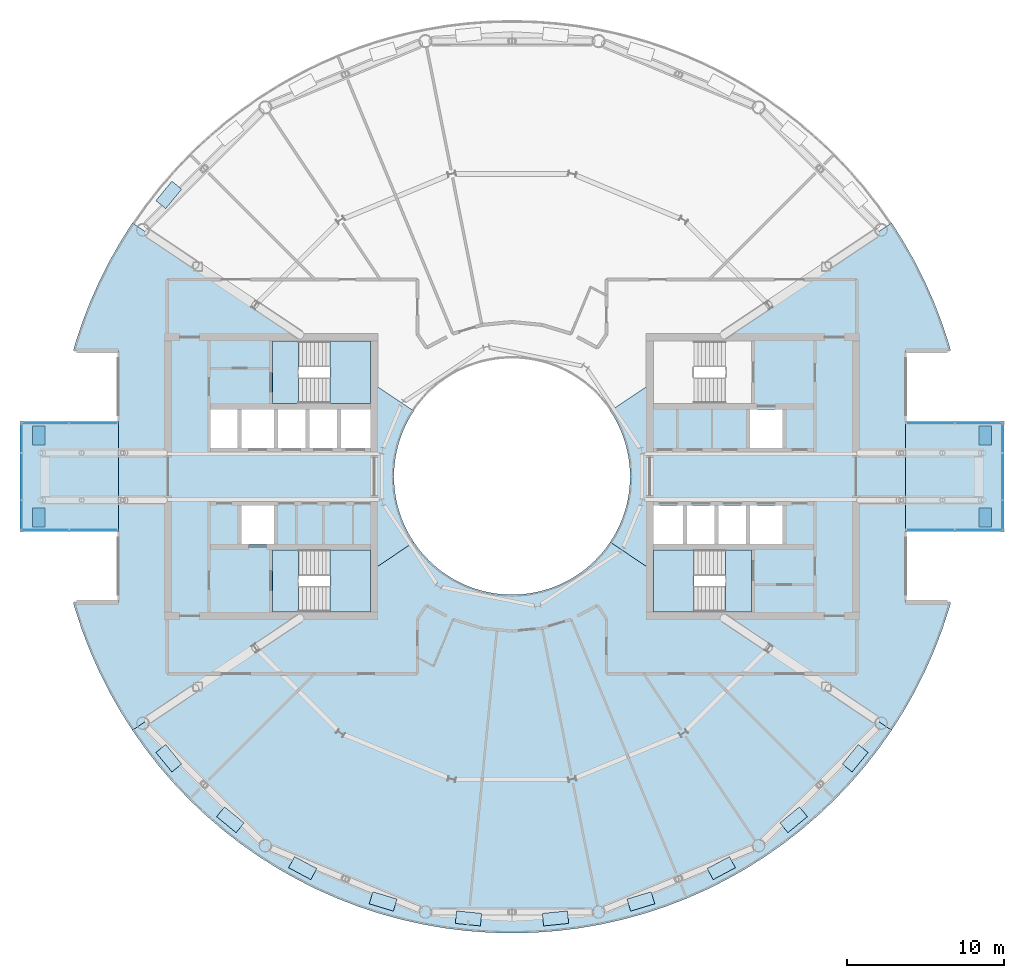
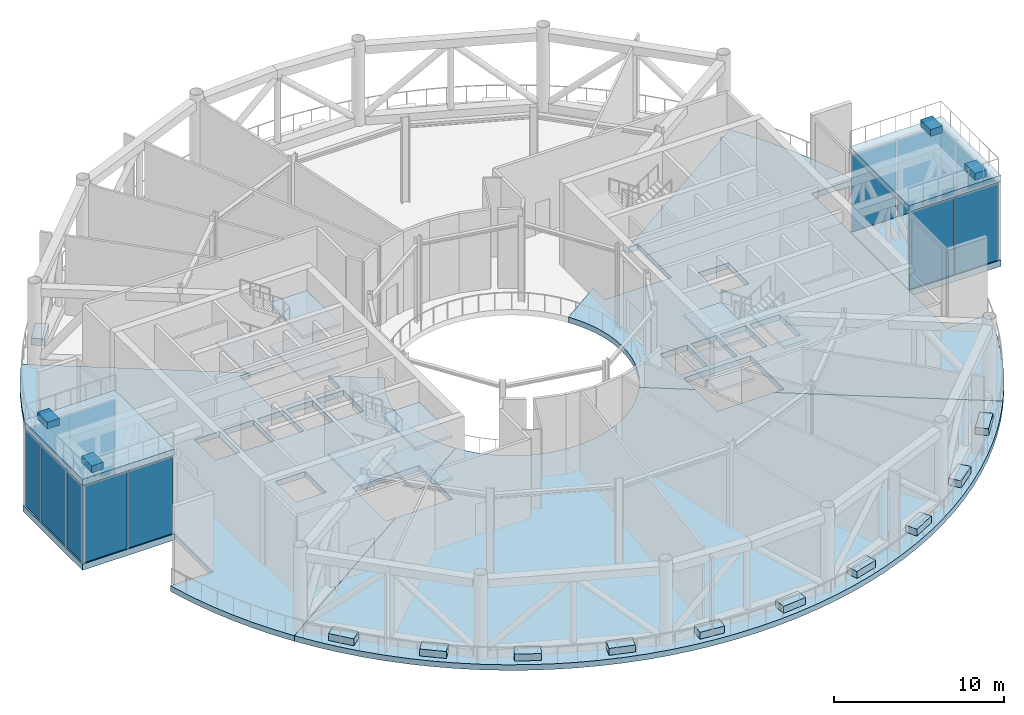
# One storey, part 11 of 24: 31 slabs, 14 plates, 9 elements without a shape of their own.
"""IFC4 building model written with IfcOpenShell, lengths in metres."""

from ifc_helpers import new_model, si_unit, direction, frame, origin, origin_2d, place, context, subcontext, project, spatial, polyline, rectangle, outline, extrude, material, layer, layer_set, type_object, element, aggregate, save


model = new_model("IFC4")

# Units and contexts
model_context = context("Model", 3, precision=1e-05, world=origin(), true_north=direction((0.0, 1.0)))
body_context = subcontext(model_context, "Body", "Model", "MODEL_VIEW")
ifc_project = project(units=[si_unit("LENGTHUNIT", "METRE"), si_unit("AREAUNIT", "SQUARE_METRE"), si_unit("VOLUMEUNIT", "CUBIC_METRE"), si_unit("PLANEANGLEUNIT", "RADIAN"), si_unit("MASSUNIT", "GRAM", prefix="KILO")], contexts=[model_context])

# Site, building, storey
site_placement = place(None, origin())
site = spatial("IfcSite", under=ifc_project, at=site_placement, CompositionType="ELEMENT")
building_placement = place(site_placement, origin())
building = spatial("IfcBuilding", under=site, at=building_placement, Name="Maasbend Ring Residences", CompositionType="ELEMENT")
storey_placement = place(building_placement, frame((0.0, 0.0, 179.89990234375)))
storey = spatial("IfcBuildingStorey", under=building, at=storey_placement, Name="L52", CompositionType="ELEMENT", Elevation=179.89990234375)

# Stair, slabs
ifc_material_1 = material(Name="Concrete C40/50", Category="concrete")
stair_type = type_object("IfcStairType", Name="CORE STAIR 36 RISERS", PredefinedType="HALF_TURN_STAIR", material=ifc_material_1)
stair_1_placement = place(storey_placement, origin())
stair_1 = element("IfcStair", 1, at=stair_1_placement, inside=storey, type_object=stair_type, Name="L52 Exit stair ST-E2", PredefinedType="HALF_TURN_STAIR")
ifc_material_2 = material(Name="Concrete C40/50", Category="concrete")
ifc_layer_1 = layer(ifc_material_2, 0.199951171875)
ifc_layer_set_1 = layer_set([ifc_layer_1], Name="Concrete C40/50")
slab_type_1 = type_object("IfcSlabType", Name="CORE STAIR LANDING 200", PredefinedType="LANDING", material=ifc_layer_set_1)
slab_1_placement = place(storey_placement, frame((0.0, 0.0, 1.3251953125)))
slab_1 = element("IfcSlab", 2, at=slab_1_placement, type_object=slab_type_1, Name="ST-E2 landing 1", PredefinedType="LANDING", context=body_context, shape_type="SweptSolid", body=[
    extrude(outline(polyline([(11.550048828125, -4.64990234375), (9.0, -4.64990234375), (9.0, -8.60009765625), (11.550048828125, -8.60009765625), (11.550048828125, -4.64990234375)])), origin(), (0.0, 0.0, 1.0), 0.199951171875),
])
slab_2_placement = place(storey_placement, frame((0.0, 0.0, 2.85009765625)))
slab_2 = element("IfcSlab", 3, at=slab_2_placement, type_object=slab_type_1, Name="ST-E2 landing 2", PredefinedType="LANDING", context=body_context, shape_type="SweptSolid", body=[
    extrude(outline(polyline([(15.199951171875, -4.64990234375), (13.550048828125, -4.64990234375), (13.550048828125, -8.60009765625), (15.199951171875, -8.60009765625), (15.199951171875, -4.64990234375)])), origin(), (0.0, 0.0, 1.0), 0.199951171875),
])
slab_3_placement = place(storey_placement, frame((0.0, 0.0, 4.375)))
slab_3 = element("IfcSlab", 4, at=slab_3_placement, type_object=slab_type_1, Name="ST-E2 landing 3", PredefinedType="LANDING", context=body_context, shape_type="SweptSolid", body=[
    extrude(outline(polyline([(11.550048828125, -4.64990234375), (9.0, -4.64990234375), (9.0, -8.60009765625), (11.550048828125, -8.60009765625), (11.550048828125, -4.64990234375)])), origin(), (0.0, 0.0, 1.0), 0.2001953125),
])
aggregate(stair_1, [slab_1, slab_2, slab_3])

stair_2_placement = place(storey_placement, origin())
stair_2 = element("IfcStair", 5, at=stair_2_placement, inside=storey, type_object=stair_type, Name="L52 Exit stair ST-W1", PredefinedType="HALF_TURN_STAIR")
slab_4_placement = place(storey_placement, frame((0.0, 0.0, 1.3251953125)))
slab_4 = element("IfcSlab", 6, at=slab_4_placement, type_object=slab_type_1, Name="ST-W1 landing 1", PredefinedType="LANDING", context=body_context, shape_type="SweptSolid", body=[
    extrude(outline(polyline([(-11.550048828125, -8.60009765625), (-9.0, -8.60009765625), (-9.0, -4.64990234375), (-11.550048828125, -4.64990234375), (-11.550048828125, -8.60009765625)])), origin(), (0.0, 0.0, 1.0), 0.199951171875),
])
slab_5_placement = place(storey_placement, frame((0.0, 0.0, 2.85009765625)))
slab_5 = element("IfcSlab", 7, at=slab_5_placement, type_object=slab_type_1, Name="ST-W1 landing 2", PredefinedType="LANDING", context=body_context, shape_type="SweptSolid", body=[
    extrude(outline(polyline([(-15.199951171875, -8.60009765625), (-13.550048828125, -8.60009765625), (-13.550048828125, -4.64990234375), (-15.199951171875, -4.64990234375), (-15.199951171875, -8.60009765625)])), origin(), (0.0, 0.0, 1.0), 0.199951171875),
])
slab_6_placement = place(storey_placement, frame((0.0, 0.0, 4.375)))
slab_6 = element("IfcSlab", 8, at=slab_6_placement, type_object=slab_type_1, Name="ST-W1 landing 3", PredefinedType="LANDING", context=body_context, shape_type="SweptSolid", body=[
    extrude(outline(polyline([(-11.550048828125, -8.60009765625), (-9.0, -8.60009765625), (-9.0, -4.64990234375), (-11.550048828125, -4.64990234375), (-11.550048828125, -8.60009765625)])), origin(), (0.0, 0.0, 1.0), 0.2001953125),
])
aggregate(stair_2, [slab_4, slab_5, slab_6])

stair_3_placement = place(storey_placement, origin())
stair_3 = element("IfcStair", 9, at=stair_3_placement, inside=storey, type_object=stair_type, Name="L52 Exit stair ST-W2", PredefinedType="HALF_TURN_STAIR")
slab_7_placement = place(storey_placement, frame((0.0, 0.0, 1.3251953125)))
slab_7 = element("IfcSlab", 10, at=slab_7_placement, type_object=slab_type_1, Name="ST-W2 landing 1", PredefinedType="LANDING", context=body_context, shape_type="SweptSolid", body=[
    extrude(outline(polyline([(-11.550048828125, 4.64990234375), (-9.0, 4.64990234375), (-9.0, 8.60009765625), (-11.550048828125, 8.60009765625), (-11.550048828125, 4.64990234375)])), origin(), (0.0, 0.0, 1.0), 0.199951171875),
])
slab_8_placement = place(storey_placement, frame((0.0, 0.0, 2.85009765625)))
slab_8 = element("IfcSlab", 11, at=slab_8_placement, type_object=slab_type_1, Name="ST-W2 landing 2", PredefinedType="LANDING", context=body_context, shape_type="SweptSolid", body=[
    extrude(outline(polyline([(-15.199951171875, 4.64990234375), (-13.550048828125, 4.64990234375), (-13.550048828125, 8.60009765625), (-15.199951171875, 8.60009765625), (-15.199951171875, 4.64990234375)])), origin(), (0.0, 0.0, 1.0), 0.199951171875),
])
slab_9_placement = place(storey_placement, frame((0.0, 0.0, 4.375)))
slab_9 = element("IfcSlab", 12, at=slab_9_placement, type_object=slab_type_1, Name="ST-W2 landing 3", PredefinedType="LANDING", context=body_context, shape_type="SweptSolid", body=[
    extrude(outline(polyline([(-11.550048828125, 4.64990234375), (-9.0, 4.64990234375), (-9.0, 8.60009765625), (-11.550048828125, 8.60009765625), (-11.550048828125, 4.64990234375)])), origin(), (0.0, 0.0, 1.0), 0.2001953125),
])
aggregate(stair_3, [slab_7, slab_8, slab_9])

# Curtain wall, plates
ifc_material_3 = material(Name="Aluminium and clear glass", Category="aluminium")
ifc_layer_2 = layer(ifc_material_3, 0.199951171875)
ifc_layer_set_2 = layer_set([ifc_layer_2], Name="CW-GR")
curtain_wall_type = type_object("IfcCurtainWallType", Name="CW-GR", PredefinedType="NOTDEFINED", material=ifc_layer_set_2)
curtain_wall_1_placement = place(storey_placement, origin())
curtain_wall_1 = element("IfcCurtainWall", 13, at=curtain_wall_1_placement, inside=storey, type_object=curtain_wall_type, Name="Glass lounge curtain wall tip", PredefinedType="NOTDEFINED")
ifc_material_4 = material(Name="Glass clear laminated", Category="glass")
ifc_layer_3 = layer(ifc_material_4, 0.035888671875)
ifc_layer_set_3 = layer_set([ifc_layer_3], Name="CWP-GR")
plate_type = type_object("IfcPlateType", Name="CWP-GR", PredefinedType="CURTAIN_PANEL", material=ifc_layer_set_3)
plate_1_placement = place(storey_placement, frame((31.14990234375, -2.482421875, 0.0), z_axis=(0.0, 0.0, 1.0), x_axis=(0.0, 1.0, 0.0)))
plate_1 = element("IfcPlate", 14, at=plate_1_placement, type_object=plate_type, Name="Glass panel glass room", PredefinedType="CURTAIN_PANEL", context=body_context, shape_type="SweptSolid", body=[
    extrude(rectangle(XDim=1.89501953125, YDim=0.035888671875, at=origin_2d()), origin(), (0.0, 0.0, 1.0), 5.510009765625),
])
plate_2_placement = place(storey_placement, frame((31.14990234375, 0.0, 0.0), z_axis=(0.0, 0.0, 1.0), x_axis=(0.0, 1.0, 0.0)))
plate_2 = element("IfcPlate", 15, at=plate_2_placement, type_object=plate_type, Name="Glass panel glass room", PredefinedType="CURTAIN_PANEL", context=body_context, shape_type="SweptSolid", body=[
    extrude(rectangle(XDim=2.929931640625, YDim=0.035888671875, at=origin_2d()), origin(), (0.0, 0.0, 1.0), 5.510009765625),
])
plate_3_placement = place(storey_placement, frame((31.14990234375, 2.482421875, 0.0), z_axis=(0.0, 0.0, 1.0), x_axis=(0.0, 1.0, 0.0)))
plate_3 = element("IfcPlate", 16, at=plate_3_placement, type_object=plate_type, Name="Glass panel glass room", PredefinedType="CURTAIN_PANEL", context=body_context, shape_type="SweptSolid", body=[
    extrude(rectangle(XDim=1.89501953125, YDim=0.035888671875, at=origin_2d()), origin(), (0.0, 0.0, 1.0), 5.510009765625),
])
aggregate(curtain_wall_1, [plate_1, plate_2, plate_3])

curtain_wall_2_placement = place(storey_placement, origin())
curtain_wall_2 = element("IfcCurtainWall", 17, at=curtain_wall_2_placement, inside=storey, type_object=curtain_wall_type, Name="Glass lounge curtain wall south", PredefinedType="NOTDEFINED")
plate_4_placement = place(storey_placement, frame((26.580078125, -3.39990234375, 0.0), z_axis=(0.0, 0.0, 1.0), x_axis=(1.0, 0.0, 0.0)))
plate_4 = element("IfcPlate", 18, at=plate_4_placement, type_object=plate_type, Name="Glass panel glass room", PredefinedType="CURTAIN_PANEL", context=body_context, shape_type="SweptSolid", body=[
    extrude(rectangle(XDim=3.02001953125, YDim=0.035888671875, at=origin_2d()), origin(), (0.0, 0.0, 1.0), 5.510009765625),
])
plate_5_placement = place(storey_placement, frame((29.669921875, -3.39990234375, 0.0), z_axis=(0.0, 0.0, 1.0), x_axis=(1.0, 0.0, 0.0)))
plate_5 = element("IfcPlate", 19, at=plate_5_placement, type_object=plate_type, Name="Glass panel glass room", PredefinedType="CURTAIN_PANEL", context=body_context, shape_type="SweptSolid", body=[
    extrude(rectangle(XDim=3.02001953125, YDim=0.035888671875, at=origin_2d()), origin(), (0.0, 0.0, 1.0), 5.510009765625),
])
aggregate(curtain_wall_2, [plate_4, plate_5])

curtain_wall_3_placement = place(storey_placement, origin())
curtain_wall_3 = element("IfcCurtainWall", 20, at=curtain_wall_3_placement, inside=storey, type_object=curtain_wall_type, Name="Glass lounge curtain wall north", PredefinedType="NOTDEFINED")
plate_6_placement = place(storey_placement, frame((26.580078125, 3.39990234375, 0.0), z_axis=(0.0, 0.0, 1.0), x_axis=(1.0, 0.0, 0.0)))
plate_6 = element("IfcPlate", 21, at=plate_6_placement, type_object=plate_type, Name="Glass panel glass room", PredefinedType="CURTAIN_PANEL", context=body_context, shape_type="SweptSolid", body=[
    extrude(rectangle(XDim=3.02001953125, YDim=0.035888671875, at=origin_2d()), origin(), (0.0, 0.0, 1.0), 5.510009765625),
])
plate_7_placement = place(storey_placement, frame((29.669921875, 3.39990234375, 0.0), z_axis=(0.0, 0.0, 1.0), x_axis=(1.0, 0.0, 0.0)))
plate_7 = element("IfcPlate", 22, at=plate_7_placement, type_object=plate_type, Name="Glass panel glass room", PredefinedType="CURTAIN_PANEL", context=body_context, shape_type="SweptSolid", body=[
    extrude(rectangle(XDim=3.02001953125, YDim=0.035888671875, at=origin_2d()), origin(), (0.0, 0.0, 1.0), 5.510009765625),
])
aggregate(curtain_wall_3, [plate_6, plate_7])

curtain_wall_4_placement = place(storey_placement, origin())
curtain_wall_4 = element("IfcCurtainWall", 23, at=curtain_wall_4_placement, inside=storey, type_object=curtain_wall_type, Name="Glass lounge curtain wall tip", PredefinedType="NOTDEFINED")
plate_8_placement = place(storey_placement, frame((-31.14990234375, -2.482421875, 0.0), z_axis=(0.0, 0.0, 1.0), x_axis=(0.0, 1.0, 0.0)))
plate_8 = element("IfcPlate", 24, at=plate_8_placement, type_object=plate_type, Name="Glass panel glass room", PredefinedType="CURTAIN_PANEL", context=body_context, shape_type="SweptSolid", body=[
    extrude(rectangle(XDim=1.89501953125, YDim=0.035888671875, at=origin_2d()), origin(), (0.0, 0.0, 1.0), 5.510009765625),
])
plate_9_placement = place(storey_placement, frame((-31.14990234375, 0.0, 0.0), z_axis=(0.0, 0.0, 1.0), x_axis=(0.0, 1.0, 0.0)))
plate_9 = element("IfcPlate", 25, at=plate_9_placement, type_object=plate_type, Name="Glass panel glass room", PredefinedType="CURTAIN_PANEL", context=body_context, shape_type="SweptSolid", body=[
    extrude(rectangle(XDim=2.929931640625, YDim=0.035888671875, at=origin_2d()), origin(), (0.0, 0.0, 1.0), 5.510009765625),
])
plate_10_placement = place(storey_placement, frame((-31.14990234375, 2.482421875, 0.0), z_axis=(0.0, 0.0, 1.0), x_axis=(0.0, 1.0, 0.0)))
plate_10 = element("IfcPlate", 26, at=plate_10_placement, type_object=plate_type, Name="Glass panel glass room", PredefinedType="CURTAIN_PANEL", context=body_context, shape_type="SweptSolid", body=[
    extrude(rectangle(XDim=1.89501953125, YDim=0.035888671875, at=origin_2d()), origin(), (0.0, 0.0, 1.0), 5.510009765625),
])
aggregate(curtain_wall_4, [plate_8, plate_9, plate_10])

curtain_wall_5_placement = place(storey_placement, origin())
curtain_wall_5 = element("IfcCurtainWall", 27, at=curtain_wall_5_placement, inside=storey, type_object=curtain_wall_type, Name="Glass lounge curtain wall south", PredefinedType="NOTDEFINED")
plate_11_placement = place(storey_placement, frame((-26.580078125, -3.39990234375, 0.0), z_axis=(0.0, 0.0, 1.0), x_axis=(-1.0, 0.0, 0.0)))
plate_11 = element("IfcPlate", 28, at=plate_11_placement, type_object=plate_type, Name="Glass panel glass room", PredefinedType="CURTAIN_PANEL", context=body_context, shape_type="SweptSolid", body=[
    extrude(rectangle(XDim=3.02001953125, YDim=0.035888671875, at=origin_2d()), origin(), (0.0, 0.0, 1.0), 5.510009765625),
])
plate_12_placement = place(storey_placement, frame((-29.669921875, -3.39990234375, 0.0), z_axis=(0.0, 0.0, 1.0), x_axis=(-1.0, 0.0, 0.0)))
plate_12 = element("IfcPlate", 29, at=plate_12_placement, type_object=plate_type, Name="Glass panel glass room", PredefinedType="CURTAIN_PANEL", context=body_context, shape_type="SweptSolid", body=[
    extrude(rectangle(XDim=3.02001953125, YDim=0.035888671875, at=origin_2d()), origin(), (0.0, 0.0, 1.0), 5.510009765625),
])
aggregate(curtain_wall_5, [plate_11, plate_12])

curtain_wall_6_placement = place(storey_placement, origin())
curtain_wall_6 = element("IfcCurtainWall", 30, at=curtain_wall_6_placement, inside=storey, type_object=curtain_wall_type, Name="Glass lounge curtain wall north", PredefinedType="NOTDEFINED")
plate_13_placement = place(storey_placement, frame((-26.580078125, 3.39990234375, 0.0), z_axis=(0.0, 0.0, 1.0), x_axis=(-1.0, 0.0, 0.0)))
plate_13 = element("IfcPlate", 31, at=plate_13_placement, type_object=plate_type, Name="Glass panel glass room", PredefinedType="CURTAIN_PANEL", context=body_context, shape_type="SweptSolid", body=[
    extrude(rectangle(XDim=3.02001953125, YDim=0.035888671875, at=origin_2d()), origin(), (0.0, 0.0, 1.0), 5.510009765625),
])
plate_14_placement = place(storey_placement, frame((-29.669921875, 3.39990234375, 0.0), z_axis=(0.0, 0.0, 1.0), x_axis=(-1.0, 0.0, 0.0)))
plate_14 = element("IfcPlate", 32, at=plate_14_placement, type_object=plate_type, Name="Glass panel glass room", PredefinedType="CURTAIN_PANEL", context=body_context, shape_type="SweptSolid", body=[
    extrude(rectangle(XDim=3.02001953125, YDim=0.035888671875, at=origin_2d()), origin(), (0.0, 0.0, 1.0), 5.510009765625),
])
aggregate(curtain_wall_6, [plate_13, plate_14])

# Slabs
ifc_material_5 = material(Name="Lawn and planting")
ifc_layer_4 = layer(ifc_material_5, 0.5)
ifc_layer_set_4 = layer_set([ifc_layer_4], Name="PLANTER-GD")
slab_type_2 = type_object("IfcSlabType", Name="PLANTER-GD", PredefinedType="USERDEFINED", material=ifc_layer_set_4)
slab_10_placement = place(storey_placement, origin())
element("IfcSlab", 33, at=slab_10_placement, inside=storey, type_object=slab_type_2, Name="Garden planter 10", ObjectType="PLANTER", PredefinedType="USERDEFINED", context=body_context, shape_type="SweptSolid", body=[
    extrude(outline(polyline([(-21.60107421875, 18.761962890625), (-22.615966796875, 17.52490234375), (-21.9970703125, 17.01806640625), (-20.98193359375, 18.2548828125), (-21.60107421875, 18.761962890625)])), origin(), (0.0, 0.0, 1.0), 0.5),
])
slab_11_placement = place(storey_placement, origin())
element("IfcSlab", 34, at=slab_11_placement, inside=storey, type_object=slab_type_2, Name="Garden planter 11", ObjectType="PLANTER", PredefinedType="USERDEFINED", context=body_context, shape_type="SweptSolid", body=[
    extrude(outline(polyline([(-22.615966796875, -17.52490234375), (-21.60107421875, -18.761962890625), (-20.98193359375, -18.2548828125), (-21.9970703125, -17.01806640625), (-22.615966796875, -17.52490234375)])), origin(), (0.0, 0.0, 1.0), 0.5),
])
slab_12_placement = place(storey_placement, origin())
element("IfcSlab", 35, at=slab_12_placement, inside=storey, type_object=slab_type_2, Name="Garden planter 12", ObjectType="PLANTER", PredefinedType="USERDEFINED", context=body_context, shape_type="SweptSolid", body=[
    extrude(outline(polyline([(-18.761962890625, -21.60107421875), (-17.52490234375, -22.615966796875), (-17.01806640625, -21.9970703125), (-18.2548828125, -20.98193359375), (-18.761962890625, -21.60107421875)])), origin(), (0.0, 0.0, 1.0), 0.5),
])
slab_13_placement = place(storey_placement, origin())
element("IfcSlab", 36, at=slab_13_placement, inside=storey, type_object=slab_type_2, Name="Garden planter 13", ObjectType="PLANTER", PredefinedType="USERDEFINED", context=body_context, shape_type="SweptSolid", body=[
    extrude(outline(polyline([(-14.18701171875, -24.845947265625), (-12.77587890625, -25.60009765625), (-12.39892578125, -24.89501953125), (-13.81005859375, -24.139892578125), (-14.18701171875, -24.845947265625)])), origin(), (0.0, 0.0, 1.0), 0.5),
])
slab_14_placement = place(storey_placement, origin())
element("IfcSlab", 37, at=slab_14_placement, inside=storey, type_object=slab_type_2, Name="Garden planter 14", ObjectType="PLANTER", PredefinedType="USERDEFINED", context=body_context, shape_type="SweptSolid", body=[
    extrude(outline(polyline([(-9.068115234375, -27.135986328125), (-7.537109375, -27.60107421875), (-7.303955078125, -26.8349609375), (-8.8349609375, -26.37109375), (-9.068115234375, -27.135986328125)])), origin(), (0.0, 0.0, 1.0), 0.5),
])
slab_15_placement = place(storey_placement, origin())
element("IfcSlab", 38, at=slab_15_placement, inside=storey, type_object=slab_type_2, Name="Garden planter 15", ObjectType="PLANTER", PredefinedType="USERDEFINED", context=body_context, shape_type="SweptSolid", body=[
    extrude(outline(polyline([(-3.59912109375, -28.384033203125), (-2.007080078125, -28.541015625), (-1.928955078125, -27.7451171875), (-3.52099609375, -27.587890625), (-3.59912109375, -28.384033203125)])), origin(), (0.0, 0.0, 1.0), 0.5),
])
slab_16_placement = place(storey_placement, origin())
element("IfcSlab", 39, at=slab_16_placement, inside=storey, type_object=slab_type_2, Name="Garden planter 16", ObjectType="PLANTER", PredefinedType="USERDEFINED", context=body_context, shape_type="SweptSolid", body=[
    extrude(outline(polyline([(2.007080078125, -28.541015625), (3.59912109375, -28.384033203125), (3.52099609375, -27.587890625), (1.928955078125, -27.7451171875), (2.007080078125, -28.541015625)])), origin(), (0.0, 0.0, 1.0), 0.5),
])
slab_17_placement = place(storey_placement, origin())
element("IfcSlab", 40, at=slab_17_placement, inside=storey, type_object=slab_type_2, Name="Garden planter 17", ObjectType="PLANTER", PredefinedType="USERDEFINED", context=body_context, shape_type="SweptSolid", body=[
    extrude(outline(polyline([(7.537109375, -27.60107421875), (9.068115234375, -27.135986328125), (8.8349609375, -26.37109375), (7.303955078125, -26.8349609375), (7.537109375, -27.60107421875)])), origin(), (0.0, 0.0, 1.0), 0.5),
])
slab_18_placement = place(storey_placement, origin())
element("IfcSlab", 41, at=slab_18_placement, inside=storey, type_object=slab_type_2, Name="Garden planter 18", ObjectType="PLANTER", PredefinedType="USERDEFINED", context=body_context, shape_type="SweptSolid", body=[
    extrude(outline(polyline([(12.77587890625, -25.60009765625), (14.18701171875, -24.845947265625), (13.81005859375, -24.139892578125), (12.39892578125, -24.89501953125), (12.77587890625, -25.60009765625)])), origin(), (0.0, 0.0, 1.0), 0.5),
])
slab_19_placement = place(storey_placement, origin())
element("IfcSlab", 42, at=slab_19_placement, inside=storey, type_object=slab_type_2, Name="Garden planter 19", ObjectType="PLANTER", PredefinedType="USERDEFINED", context=body_context, shape_type="SweptSolid", body=[
    extrude(outline(polyline([(17.52490234375, -22.615966796875), (18.761962890625, -21.60107421875), (18.2548828125, -20.98193359375), (17.01806640625, -21.9970703125), (17.52490234375, -22.615966796875)])), origin(), (0.0, 0.0, 1.0), 0.5),
])
slab_20_placement = place(storey_placement, origin())
element("IfcSlab", 43, at=slab_20_placement, inside=storey, type_object=slab_type_2, Name="Garden planter 20", ObjectType="PLANTER", PredefinedType="USERDEFINED", context=body_context, shape_type="SweptSolid", body=[
    extrude(outline(polyline([(21.60107421875, -18.761962890625), (22.615966796875, -17.52490234375), (21.9970703125, -17.01806640625), (20.98193359375, -18.2548828125), (21.60107421875, -18.761962890625)])), origin(), (0.0, 0.0, 1.0), 0.5),
])
slab_21_placement = place(storey_placement, frame((0.0, 0.0, 6.10009765625)))
element("IfcSlab", 44, at=slab_21_placement, inside=storey, type_object=slab_type_2, Name="Terrace planter 1", ObjectType="PLANTER", PredefinedType="USERDEFINED", context=body_context, shape_type="SweptSolid", body=[
    extrude(outline(polyline([(29.64990234375, -3.199951171875), (30.449951171875, -3.199951171875), (30.449951171875, -2.0), (29.64990234375, -2.0), (29.64990234375, -3.199951171875)])), origin(), (0.0, 0.0, 1.0), 0.5),
])
slab_22_placement = place(storey_placement, frame((0.0, 0.0, 6.10009765625)))
element("IfcSlab", 45, at=slab_22_placement, inside=storey, type_object=slab_type_2, Name="Terrace planter 2", ObjectType="PLANTER", PredefinedType="USERDEFINED", context=body_context, shape_type="SweptSolid", body=[
    extrude(outline(polyline([(29.64990234375, 2.0), (30.449951171875, 2.0), (30.449951171875, 3.199951171875), (29.64990234375, 3.199951171875), (29.64990234375, 2.0)])), origin(), (0.0, 0.0, 1.0), 0.5),
])
slab_23_placement = place(storey_placement, frame((0.0, 0.0, 6.10009765625)))
element("IfcSlab", 46, at=slab_23_placement, inside=storey, type_object=slab_type_2, Name="Terrace planter 1", ObjectType="PLANTER", PredefinedType="USERDEFINED", context=body_context, shape_type="SweptSolid", body=[
    extrude(outline(polyline([(-30.449951171875, -3.199951171875), (-29.64990234375, -3.199951171875), (-29.64990234375, -2.0), (-30.449951171875, -2.0), (-30.449951171875, -3.199951171875)])), origin(), (0.0, 0.0, 1.0), 0.5),
])
slab_24_placement = place(storey_placement, frame((0.0, 0.0, 6.10009765625)))
element("IfcSlab", 47, at=slab_24_placement, inside=storey, type_object=slab_type_2, Name="Terrace planter 2", ObjectType="PLANTER", PredefinedType="USERDEFINED", context=body_context, shape_type="SweptSolid", body=[
    extrude(outline(polyline([(-30.449951171875, 2.0), (-29.64990234375, 2.0), (-29.64990234375, 3.199951171875), (-30.449951171875, 3.199951171875), (-30.449951171875, 2.0)])), origin(), (0.0, 0.0, 1.0), 0.5),
])
ifc_material_6 = material(Name="Concrete C40/50", Category="concrete")
ifc_layer_5 = layer(ifc_material_6, 0.39990234375)
ifc_layer_set_5 = layer_set([ifc_layer_5], Name="Concrete C40/50")
slab_type_3 = type_object("IfcSlabType", Name="Post-tensioned flat plate 400", PredefinedType="FLOOR", material=ifc_layer_set_5)
slab_25_placement = place(storey_placement, frame((0.0, 0.0, -0.39990234375)))
element("IfcSlab", 48, at=slab_25_placement, inside=storey, type_object=slab_type_3, Name="Floor slab L52 sky garden", PredefinedType="FLOOR", context=body_context, shape_type="SweptSolid", body=[
    extrude(outline(polyline([(24.112548828125, -16.111572265625), (12.870849609375, -8.60009765625), (9.0, -8.60009765625), (9.0, -6.013671875), (6.236083984375, -4.166748046875), (6.024169921875, -4.4677734375), (5.797607421875, -4.7578125), (5.55712890625, -5.03662109375), (5.30322265625, -5.30322265625), (5.03662109375, -5.55712890625), (4.7578125, -5.797607421875), (4.4677734375, -6.024169921875), (4.166748046875, -6.236083984375), (3.855712890625, -6.43310546875), (3.535400390625, -6.614501953125), (3.206787109375, -6.77978515625), (2.8701171875, -6.92919921875), (2.526611328125, -7.0615234375), (2.177001953125, -7.177001953125), (1.822509765625, -7.275146484375), (1.463134765625, -7.35595703125), (1.1005859375, -7.418701171875), (0.735107421875, -7.4638671875), (0.367919921875, -7.490966796875), (0.0, -7.5), (-0.367919921875, -7.490966796875), (-0.735107421875, -7.4638671875), (-1.1005859375, -7.418701171875), (-1.463134765625, -7.35595703125), (-1.822509765625, -7.275146484375), (-2.177001953125, -7.177001953125), (-2.526611328125, -7.0615234375), (-2.8701171875, -6.92919921875), (-3.206787109375, -6.77978515625), (-3.535400390625, -6.614501953125), (-3.855712890625, -6.43310546875), (-4.166748046875, -6.236083984375), (-4.4677734375, -6.024169921875), (-4.7578125, -5.797607421875), (-5.03662109375, -5.55712890625), (-5.30322265625, -5.30322265625), (-5.55712890625, -5.03662109375), (-5.797607421875, -4.7578125), (-6.024169921875, -4.4677734375), (-6.236083984375, -4.166748046875), (-9.0, -6.013671875), (-9.0, -8.60009765625), (-12.870849609375, -8.60009765625), (-24.112548828125, -16.111572265625), (-23.29296875, -17.275390625), (-22.417236328125, -18.3974609375), (-21.487548828125, -19.47509765625), (-20.506103515625, -20.506103515625), (-19.47509765625, -21.487548828125), (-18.3974609375, -22.417236328125), (-17.275390625, -23.29296875), (-16.111572265625, -24.112548828125), (-14.908935546875, -24.8740234375), (-13.67041015625, -25.57568359375), (-12.399169921875, -26.2158203125), (-11.097900390625, -26.79248046875), (-9.769775390625, -27.3046875), (-8.418212890625, -27.751220703125), (-7.04638671875, -28.130859375), (-5.65771484375, -28.44287109375), (-4.255126953125, -28.68603515625), (-2.842529296875, -28.8603515625), (-1.423095703125, -28.965087890625), (0.0, -29.0), (1.423095703125, -28.965087890625), (2.842529296875, -28.8603515625), (4.255126953125, -28.68603515625), (5.65771484375, -28.44287109375), (7.04638671875, -28.130859375), (8.418212890625, -27.751220703125), (9.769775390625, -27.3046875), (11.097900390625, -26.79248046875), (12.399169921875, -26.2158203125), (13.67041015625, -25.57568359375), (14.908935546875, -24.8740234375), (16.111572265625, -24.112548828125), (17.275390625, -23.29296875), (18.3974609375, -22.417236328125), (19.47509765625, -21.487548828125), (20.506103515625, -20.506103515625), (21.487548828125, -19.47509765625), (22.417236328125, -18.3974609375), (23.29296875, -17.275390625), (24.112548828125, -16.111572265625)])), origin(), (0.0, 0.0, 1.0), 0.39990234375),
])
slab_26_placement = place(storey_placement, frame((0.0, 0.0, -0.39990234375)))
element("IfcSlab", 49, at=slab_26_placement, inside=storey, type_object=slab_type_3, Name="Floor slab L52 core zone", PredefinedType="FLOOR", context=body_context, shape_type="SweptSolid", body=[
    extrude(outline(polyline([(26.2158203125, -12.399169921875), (26.79248046875, -11.097900390625), (27.3046875, -9.769775390625), (27.751220703125, -8.418212890625), (27.866943359375, -8.0), (25.0, -8.0), (25.0, 8.0), (27.866943359375, 8.0), (27.751220703125, 8.418212890625), (27.3046875, 9.769775390625), (26.79248046875, 11.097900390625), (26.2158203125, 12.399169921875), (25.57568359375, 13.67041015625), (24.8740234375, 14.908935546875), (24.112548828125, 16.111572265625), (12.870849609375, 8.60009765625), (13.550048828125, 8.60009765625), (13.550048828125, 4.64990234375), (9.0, 4.64990234375), (9.0, 6.013671875), (6.236083984375, 4.166748046875), (6.43310546875, 3.855712890625), (6.614501953125, 3.535400390625), (6.77978515625, 3.206787109375), (6.92919921875, 2.8701171875), (7.0615234375, 2.526611328125), (7.177001953125, 2.177001953125), (7.275146484375, 1.822509765625), (7.35595703125, 1.463134765625), (7.418701171875, 1.1005859375), (7.4638671875, 0.735107421875), (7.490966796875, 0.367919921875), (7.5, 0.0), (7.490966796875, -0.367919921875), (7.4638671875, -0.735107421875), (7.418701171875, -1.1005859375), (7.35595703125, -1.463134765625), (7.275146484375, -1.822509765625), (7.177001953125, -2.177001953125), (7.0615234375, -2.526611328125), (6.92919921875, -2.8701171875), (6.77978515625, -3.206787109375), (6.614501953125, -3.535400390625), (6.43310546875, -3.855712890625), (6.236083984375, -4.166748046875), (9.0, -6.013671875), (9.0, -4.64990234375), (13.550048828125, -4.64990234375), (13.550048828125, -8.60009765625), (12.870849609375, -8.60009765625), (24.112548828125, -16.111572265625), (24.8740234375, -14.908935546875), (25.57568359375, -13.67041015625), (26.2158203125, -12.399169921875)]), holes=[polyline([(17.175048828125, -4.27490234375), (15.125, -4.27490234375), (15.125, -1.824951171875), (17.175048828125, -1.824951171875), (17.175048828125, -4.27490234375)]), polyline([(17.175048828125, 1.824951171875), (15.125, 1.824951171875), (15.125, 4.27490234375), (17.175048828125, 4.27490234375), (17.175048828125, 1.824951171875)]), polyline([(14.875, -4.27490234375), (13.125, -4.27490234375), (13.125, -1.824951171875), (14.875, -1.824951171875), (14.875, -4.27490234375)]), polyline([(12.875, -4.27490234375), (11.125, -4.27490234375), (11.125, -1.824951171875), (12.875, -1.824951171875), (12.875, -4.27490234375)]), polyline([(10.875, -4.27490234375), (9.0, -4.27490234375), (9.0, -1.824951171875), (10.875, -1.824951171875), (10.875, -4.27490234375)])]), origin(), (0.0, 0.0, 1.0), 0.39990234375),
])
slab_27_placement = place(storey_placement, frame((0.0, 0.0, -0.39990234375)))
element("IfcSlab", 50, at=slab_27_placement, inside=storey, type_object=slab_type_3, Name="Floor slab L52 core zone", PredefinedType="FLOOR", context=body_context, shape_type="SweptSolid", body=[
    extrude(outline(polyline([(-24.112548828125, -16.111572265625), (-12.870849609375, -8.60009765625), (-13.550048828125, -8.60009765625), (-13.550048828125, -4.64990234375), (-9.0, -4.64990234375), (-9.0, -6.013671875), (-6.236083984375, -4.166748046875), (-6.43310546875, -3.855712890625), (-6.614501953125, -3.535400390625), (-6.77978515625, -3.206787109375), (-6.92919921875, -2.8701171875), (-7.0615234375, -2.526611328125), (-7.177001953125, -2.177001953125), (-7.275146484375, -1.822509765625), (-7.35595703125, -1.463134765625), (-7.418701171875, -1.1005859375), (-7.4638671875, -0.735107421875), (-7.490966796875, -0.367919921875), (-7.5, 0.0), (-7.490966796875, 0.367919921875), (-7.4638671875, 0.735107421875), (-7.418701171875, 1.1005859375), (-7.35595703125, 1.463134765625), (-7.275146484375, 1.822509765625), (-7.177001953125, 2.177001953125), (-7.0615234375, 2.526611328125), (-6.92919921875, 2.8701171875), (-6.77978515625, 3.206787109375), (-6.614501953125, 3.535400390625), (-6.43310546875, 3.855712890625), (-6.236083984375, 4.166748046875), (-9.0, 6.013671875), (-9.0, 4.64990234375), (-13.550048828125, 4.64990234375), (-13.550048828125, 8.60009765625), (-12.870849609375, 8.60009765625), (-24.112548828125, 16.111572265625), (-24.112548828125, 16.111572265625), (-24.8740234375, 14.908935546875), (-25.57568359375, 13.67041015625), (-26.2158203125, 12.399169921875), (-26.79248046875, 11.097900390625), (-27.3046875, 9.769775390625), (-27.751220703125, 8.418212890625), (-27.866943359375, 8.0), (-25.0, 8.0), (-25.0, -8.0), (-27.866943359375, -8.0), (-27.751220703125, -8.418212890625), (-27.3046875, -9.769775390625), (-26.79248046875, -11.097900390625), (-26.2158203125, -12.399169921875), (-25.57568359375, -13.67041015625), (-24.8740234375, -14.908935546875), (-24.112548828125, -16.111572265625)]), holes=[polyline([(-10.875, 4.27490234375), (-9.0, 4.27490234375), (-9.0, 1.824951171875), (-10.875, 1.824951171875), (-10.875, 4.27490234375)]), polyline([(-12.875, 4.27490234375), (-11.125, 4.27490234375), (-11.125, 1.824951171875), (-12.875, 1.824951171875), (-12.875, 4.27490234375)]), polyline([(-14.875, 4.27490234375), (-13.125, 4.27490234375), (-13.125, 1.824951171875), (-14.875, 1.824951171875), (-14.875, 4.27490234375)]), polyline([(-17.175048828125, -1.824951171875), (-15.125, -1.824951171875), (-15.125, -4.27490234375), (-17.175048828125, -4.27490234375), (-17.175048828125, -1.824951171875)]), polyline([(-17.175048828125, 4.27490234375), (-15.125, 4.27490234375), (-15.125, 1.824951171875), (-17.175048828125, 1.824951171875), (-17.175048828125, 4.27490234375)]), polyline([(-19.14990234375, 4.27490234375), (-17.425048828125, 4.27490234375), (-17.425048828125, 1.824951171875), (-19.14990234375, 1.824951171875), (-19.14990234375, 4.27490234375)])]), origin(), (0.0, 0.0, 1.0), 0.39990234375),
])
ifc_material_7 = material(Name="Concrete C40/50", Category="concrete")
ifc_layer_6 = layer(ifc_material_7, 0.449951171875)
ifc_layer_set_6 = layer_set([ifc_layer_6], Name="Concrete C40/50")
slab_type_4 = type_object("IfcSlabType", Name="SL-ROOM", PredefinedType="FLOOR", material=ifc_layer_set_6)
slab_28_placement = place(storey_placement, frame((0.0, 0.0, -0.449951171875)))
element("IfcSlab", 51, at=slab_28_placement, inside=storey, type_object=slab_type_4, Name="Glass lounge floor", PredefinedType="FLOOR", context=body_context, shape_type="SweptSolid", body=[
    extrude(outline(polyline([(25.0, -3.5), (31.25, -3.5), (31.25, 3.5), (25.0, 3.5), (25.0, -3.5)])), origin(), (0.0, 0.0, 1.0), 0.449951171875),
])
slab_29_placement = place(storey_placement, frame((0.0, 0.0, -0.449951171875)))
element("IfcSlab", 52, at=slab_29_placement, inside=storey, type_object=slab_type_4, Name="Glass lounge floor", PredefinedType="FLOOR", context=body_context, shape_type="SweptSolid", body=[
    extrude(outline(polyline([(-31.25, -3.5), (-25.0, -3.5), (-25.0, 3.5), (-31.25, 3.5), (-31.25, -3.5)])), origin(), (0.0, 0.0, 1.0), 0.449951171875),
])
ifc_material_8 = material(Name="Concrete C40/50", Category="concrete")
ifc_layer_7 = layer(ifc_material_8, 0.449951171875)
ifc_layer_set_7 = layer_set([ifc_layer_7], Name="Concrete C40/50")
slab_type_5 = type_object("IfcSlabType", Name="SL-TERRACE", PredefinedType="ROOF", material=ifc_layer_set_7)
slab_30_placement = place(storey_placement, frame((0.0, 0.0, 5.650146484375)))
element("IfcSlab", 53, at=slab_30_placement, inside=storey, type_object=slab_type_5, Name="Glass lounge roof terrace", PredefinedType="ROOF", context=body_context, shape_type="SweptSolid", body=[
    extrude(outline(polyline([(25.0, -3.5), (31.25, -3.5), (31.25, 3.5), (25.0, 3.5), (25.0, -3.5)])), origin(), (0.0, 0.0, 1.0), 0.449951171875),
])
slab_31_placement = place(storey_placement, frame((0.0, 0.0, 5.650146484375)))
element("IfcSlab", 54, at=slab_31_placement, inside=storey, type_object=slab_type_5, Name="Glass lounge roof terrace", PredefinedType="ROOF", context=body_context, shape_type="SweptSolid", body=[
    extrude(outline(polyline([(-31.25, -3.5), (-25.0, -3.5), (-25.0, 3.5), (-31.25, 3.5), (-31.25, -3.5)])), origin(), (0.0, 0.0, 1.0), 0.449951171875),
])

save(model, "model.ifc")
